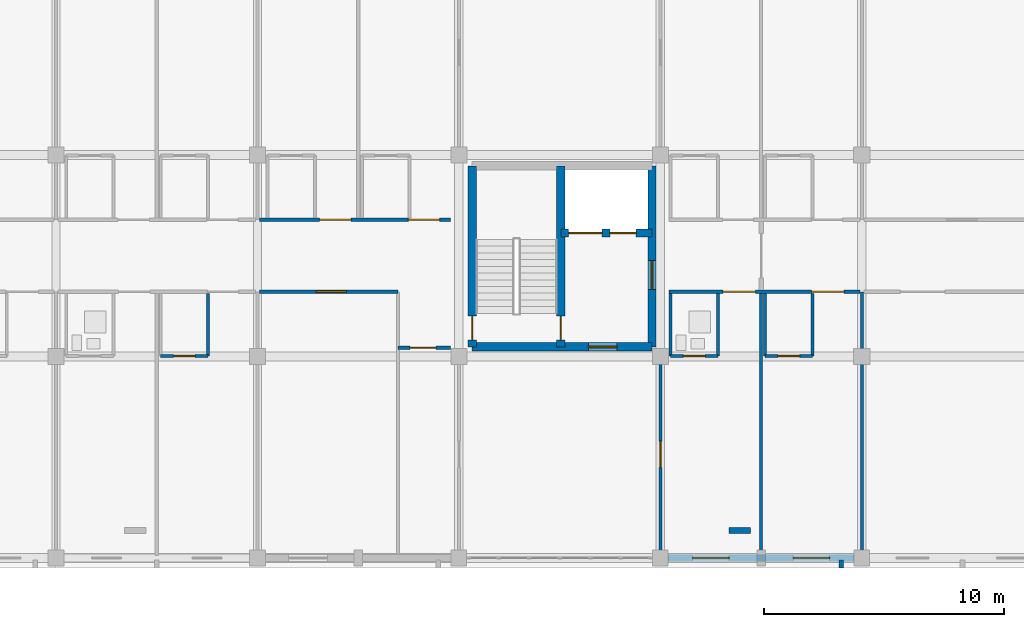
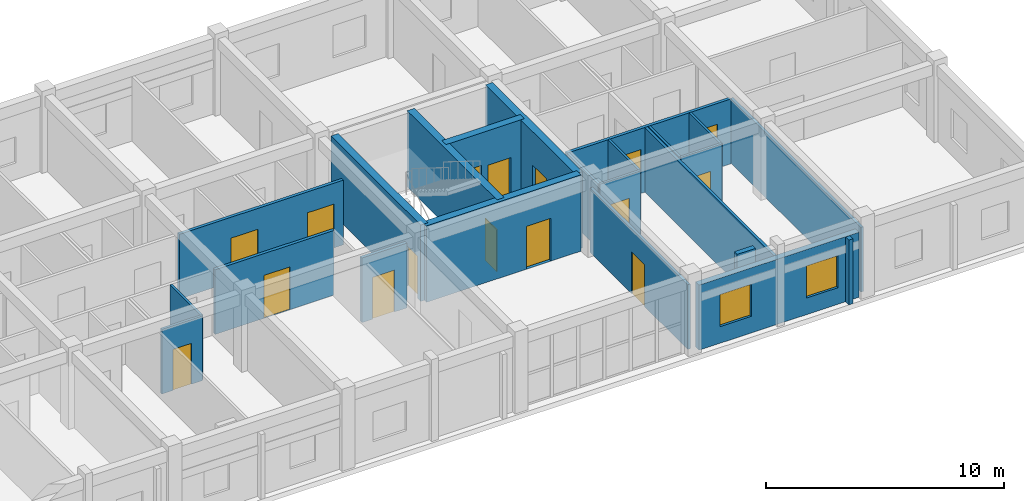
# One storey, part 65 of 90: 23 walls, 16 doors, 2 windows, 18 openings.
"""IFC4 building model written with IfcOpenShell, lengths in metres."""

from ifc_helpers import new_model, si_unit, direction, frame, frame_2d, origin, place, context, subcontext, project, spatial, rectangle, extrude, material, layer, layer_set, type_object, element, fill, save


model = new_model("IFC4")

# Units and contexts
model_context = context("Model", 3, precision=1e-05, world=origin(), true_north=direction((0.0, 1.0)))
body_context = subcontext(model_context, "Body", "Model", "MODEL_VIEW")
ifc_project = project(units=[si_unit("LENGTHUNIT", "METRE"), si_unit("AREAUNIT", "SQUARE_METRE"), si_unit("VOLUMEUNIT", "CUBIC_METRE"), si_unit("PLANEANGLEUNIT", "RADIAN"), si_unit("MASSUNIT", "GRAM", prefix="KILO")], contexts=[model_context])

# Site, building, storey
site_placement = place(None, origin())
site = spatial("IfcSite", under=ifc_project, at=site_placement, CompositionType="ELEMENT")
building_placement = place(site_placement, origin())
building = spatial("IfcBuilding", under=site, at=building_placement, Name="Trelvath General Hospital", CompositionType="ELEMENT")
storey_placement = place(building_placement, frame((0.0, 0.0, 20.39990234375)))
storey = spatial("IfcBuildingStorey", under=building, at=storey_placement, Name="L05", CompositionType="ELEMENT", Elevation=20.39990234375)

# Wall
ifc_material_1 = material(Name="Precast concrete C40/50", Category="concrete")
ifc_layer_1 = layer(ifc_material_1, 0.199951171875)
ifc_layer_set_1 = layer_set([ifc_layer_1], Name="Precast concrete C40/50")
wall_type_1 = type_object("IfcWallType", Name="BriseSoleilRib 200", PredefinedType="ELEMENTEDWALL", material=ifc_layer_set_1)
wall_1_placement = place(storey_placement, frame((108.3369140625, -0.074951171875, 0.0), z_axis=(0.0, 0.0, 1.0), x_axis=(0.0, -1.0, 0.0)))
element("IfcWall", 1, at=wall_1_placement, inside=storey, type_object=wall_type_1, Name="Precast Concrete Brise-Soleil Rib Fin L05-392", PredefinedType="ELEMENTEDWALL", context=body_context, shape_type="SweptSolid", body=[
    extrude(rectangle(XDim=0.340087890625, YDim=0.199951171875, at=frame_2d((0.169921875, 0.0))), origin(), (0.0, 0.0, 1.0), 3.320068359375),
])

# Wall, opening, door
ifc_material_2 = material(Name="Gypsum acoustic steel-stud partition", Category="steel")
ifc_layer_2 = layer(ifc_material_2, 0.14990234375)
ifc_layer_set_2 = layer_set([ifc_layer_2], Name="Gypsum acoustic steel-stud partition")
wall_type_2 = type_object("IfcWallType", Name="ClinicalPartition 150", PredefinedType="PARTITIONING", material=ifc_layer_set_2)
wall_2_placement = place(storey_placement, frame((84.080078125, 11.10009765625, 0.0), z_axis=(0.0, 0.0, 1.0), x_axis=(1.0, 0.0, 0.0)))
wall_2 = element("IfcWall", 2, at=wall_2_placement, inside=storey, type_object=wall_type_2, Name="Nurse Station Partition L05-1827", PredefinedType="PARTITIONING", context=body_context, shape_type="SweptSolid", body=[
    extrude(rectangle(XDim=5.780029296875, YDim=0.14990234375, at=frame_2d((2.89013671875, 0.0))), origin(), (0.0, 0.0, 1.0), 3.320068359375),
])
opening_1_placement = place(wall_2_placement, frame((2.3798828125, 0.0, 0.0)))
opening_1 = element("IfcOpeningElement", 3, at=opening_1_placement, cuts=wall_2, Name="Opening D-5-1202", PredefinedType="OPENING", context=body_context, shape_type="SweptSolid", body=[
    extrude(rectangle(XDim=1.25, YDim=2.199951171875, at=frame_2d((0.625, 1.10009765625))), frame((0.0, 0.0849609375, 0.0), z_axis=(0.0, -1.0, 0.0), x_axis=(1.0, 0.0, 0.0)), (0.0, 0.0, 1.0), 0.169921875),
])
ifc_material_3 = material(Name="Acoustic hospital timber leaf", Category="wood")
door_type_1 = type_object("IfcDoorType", Name="Door Treatment 1250x2200", OperationType="NOTDEFINED", PredefinedType="DOOR", material=ifc_material_3)
door_1_placement = place(opening_1_placement, origin())
door_1 = element("IfcDoor", 4, at=door_1_placement, inside=storey, type_object=door_type_1, Name="Nurse Station Door L05-1202", OperationType="SINGLE_SWING_RIGHT", OverallHeight=2.199951171875, OverallWidth=1.25, PredefinedType="DOOR", context=body_context, shape_type="SweptSolid", body=[
    extrude(rectangle(XDim=1.25, YDim=2.199951171875, at=frame_2d((0.625, 1.10009765625))), frame((0.0, 0.02490234375, 0.0), z_axis=(0.0, -1.0, 0.0), x_axis=(1.0, 0.0, 0.0)), (0.0, 0.0, 1.0), 0.050048828125),
])
fill(opening_1, door_1)

wall_3_placement = place(storey_placement, frame((89.860107421875, 8.760009765625, 0.0), z_axis=(0.0, 0.0, 1.0), x_axis=(1.0, 0.0, 0.0)))
wall_3 = element("IfcWall", 5, at=wall_3_placement, inside=storey, type_object=wall_type_2, Name="Clean Utility Partition L05-1829", PredefinedType="PARTITIONING", context=body_context, shape_type="SweptSolid", body=[
    extrude(rectangle(XDim=2.179931640625, YDim=0.14990234375, at=frame_2d((1.08984375, 0.0))), origin(), (0.0, 0.0, 1.0), 3.320068359375),
])
opening_2_placement = place(wall_3_placement, frame((0.5, 0.0, 0.0)))
opening_2 = element("IfcOpeningElement", 6, at=opening_2_placement, cuts=wall_3, Name="Opening D-5-1203", PredefinedType="OPENING", context=body_context, shape_type="SweptSolid", body=[
    extrude(rectangle(XDim=1.080078125, YDim=2.14990234375, at=frame_2d((0.5400390625, 1.074951171875))), frame((0.0, 0.0849609375, 0.0), z_axis=(0.0, -1.0, 0.0), x_axis=(1.0, 0.0, 0.0)), (0.0, 0.0, 1.0), 0.169921875),
])
ifc_material_4 = material(Name="Acoustic hospital timber leaf", Category="wood")
door_type_2 = type_object("IfcDoorType", Name="Door CleanSupply 1080x2150", OperationType="NOTDEFINED", PredefinedType="DOOR", material=ifc_material_4)
door_2_placement = place(opening_2_placement, origin())
door_2 = element("IfcDoor", 7, at=door_2_placement, inside=storey, type_object=door_type_2, Name="Clean Utility Door L05-1203", OperationType="SINGLE_SWING_LEFT", OverallHeight=2.14990234375, OverallWidth=1.080078125, PredefinedType="DOOR", context=body_context, shape_type="SweptSolid", body=[
    extrude(rectangle(XDim=1.080078125, YDim=2.14990234375, at=frame_2d((0.5400390625, 1.074951171875))), frame((0.0, 0.02490234375, 0.0), z_axis=(0.0, -1.0, 0.0), x_axis=(1.0, 0.0, 0.0)), (0.0, 0.0, 1.0), 0.050048828125),
])
fill(opening_2, door_2)

# Wall, openings, doors
wall_4_placement = place(storey_placement, frame((92.0400390625, 14.10009765625, 0.0), z_axis=(0.0, 0.0, 1.0), x_axis=(-1.0, 0.0, 0.0)))
wall_4 = element("IfcWall", 8, at=wall_4_placement, inside=storey, type_object=wall_type_2, Name="Corridor Partition N L05-1830", PredefinedType="PARTITIONING", context=body_context, shape_type="SweptSolid", body=[
    extrude(rectangle(XDim=7.9599609375, YDim=0.14990234375, at=frame_2d((3.97998046875, 0.0))), origin(), (0.0, 0.0, 1.0), 3.320068359375),
])
opening_3_placement = place(wall_4_placement, frame((0.449951171875, 0.0, 0.0)))
opening_3 = element("IfcOpeningElement", 9, at=opening_3_placement, cuts=wall_4, Name="Opening D-5-1204", PredefinedType="OPENING", context=body_context, shape_type="SweptSolid", body=[
    extrude(rectangle(XDim=1.300048828125, YDim=2.25, at=frame_2d((0.64990234375, 1.125))), frame((0.0, 0.0849609375, 0.0), z_axis=(0.0, -1.0, 0.0), x_axis=(1.0, 0.0, 0.0)), (0.0, 0.0, 1.0), 0.169921875),
])
opening_4_placement = place(wall_4_placement, frame((4.14990234375, 0.0, 0.0)))
opening_4 = element("IfcOpeningElement", 10, at=opening_4_placement, cuts=wall_4, Name="Opening D-5-1205", PredefinedType="OPENING", context=body_context, shape_type="SweptSolid", body=[
    extrude(rectangle(XDim=1.300048828125, YDim=2.25, at=frame_2d((0.64990234375, 1.125))), frame((0.0, 0.0849609375, 0.0), z_axis=(0.0, -1.0, 0.0), x_axis=(1.0, 0.0, 0.0)), (0.0, 0.0, 1.0), 0.169921875),
])
ifc_material_5 = material(Name="Hospital bed-leaf timber door", Category="wood")
door_type_3 = type_object("IfcDoorType", Name="Door PatientBed 1300x2250", OperationType="NOTDEFINED", PredefinedType="DOOR", material=ifc_material_5)
door_3_placement = place(opening_3_placement, origin())
door_3 = element("IfcDoor", 11, at=door_3_placement, inside=storey, type_object=door_type_3, Name="Patient Room Door N L05-1204", OperationType="SINGLE_SWING_RIGHT", OverallHeight=2.25, OverallWidth=1.300048828125, PredefinedType="DOOR", context=body_context, shape_type="SweptSolid", body=[
    extrude(rectangle(XDim=1.300048828125, YDim=2.25, at=frame_2d((0.64990234375, 1.125))), frame((0.0, 0.02490234375, 0.0), z_axis=(0.0, -1.0, 0.0), x_axis=(1.0, 0.0, 0.0)), (0.0, 0.0, 1.0), 0.050048828125),
])
fill(opening_3, door_3)
door_4_placement = place(opening_4_placement, origin())
door_4 = element("IfcDoor", 12, at=door_4_placement, inside=storey, type_object=door_type_3, Name="Patient Room Door N L05-1205", OperationType="SINGLE_SWING_RIGHT", OverallHeight=2.25, OverallWidth=1.300048828125, PredefinedType="DOOR", context=body_context, shape_type="SweptSolid", body=[
    extrude(rectangle(XDim=1.300048828125, YDim=2.25, at=frame_2d((0.64990234375, 1.125))), frame((0.0, 0.02490234375, 0.0), z_axis=(0.0, -1.0, 0.0), x_axis=(1.0, 0.0, 0.0)), (0.0, 0.0, 1.0), 0.050048828125),
])
fill(opening_4, door_4)

wall_5_placement = place(storey_placement, frame((101.159912109375, 11.10009765625, 0.0), z_axis=(0.0, 0.0, 1.0), x_axis=(1.0, 0.0, 0.0)))
wall_5 = element("IfcWall", 13, at=wall_5_placement, inside=storey, type_object=wall_type_2, Name="Corridor Partition L05-1842", PredefinedType="PARTITIONING", context=body_context, shape_type="SweptSolid", body=[
    extrude(rectangle(XDim=7.960205078125, YDim=0.14990234375, at=frame_2d((3.97998046875, 0.0))), origin(), (0.0, 0.0, 1.0), 3.320068359375),
])
opening_5_placement = place(wall_5_placement, frame((2.25, 0.0, 0.0)))
opening_5 = element("IfcOpeningElement", 14, at=opening_5_placement, cuts=wall_5, Name="Opening D-5-1212", PredefinedType="OPENING", context=body_context, shape_type="SweptSolid", body=[
    extrude(rectangle(XDim=1.35009765625, YDim=2.25, at=frame_2d((0.675048828125, 1.125))), frame((0.0, 0.0849609375, 0.0), z_axis=(0.0, -1.0, 0.0), x_axis=(1.0, 0.0, 0.0)), (0.0, 0.0, 1.0), 0.169921875),
])
opening_6_placement = place(wall_5_placement, frame((5.949951171875, 0.0, 0.0)))
opening_6 = element("IfcOpeningElement", 15, at=opening_6_placement, cuts=wall_5, Name="Opening D-5-1213", PredefinedType="OPENING", context=body_context, shape_type="SweptSolid", body=[
    extrude(rectangle(XDim=1.35009765625, YDim=2.25, at=frame_2d((0.675048828125, 1.125))), frame((0.0, 0.0849609375, 0.0), z_axis=(0.0, -1.0, 0.0), x_axis=(1.0, 0.0, 0.0)), (0.0, 0.0, 1.0), 0.169921875),
])
ifc_material_6 = material(Name="Airtight isolation bed door")
door_type_4 = type_object("IfcDoorType", Name="Door PatientIso 1350x2250", OperationType="NOTDEFINED", PredefinedType="DOOR", material=ifc_material_6)
door_5_placement = place(opening_5_placement, origin())
door_5 = element("IfcDoor", 16, at=door_5_placement, inside=storey, type_object=door_type_4, Name="Patient Room Door L05-1212", OperationType="SINGLE_SWING_LEFT", OverallHeight=2.25, OverallWidth=1.35009765625, PredefinedType="DOOR", context=body_context, shape_type="SweptSolid", body=[
    extrude(rectangle(XDim=1.35009765625, YDim=2.25, at=frame_2d((0.675048828125, 1.125))), frame((0.0, 0.02490234375, 0.0), z_axis=(0.0, -1.0, 0.0), x_axis=(1.0, 0.0, 0.0)), (0.0, 0.0, 1.0), 0.050048828125),
])
fill(opening_5, door_5)
door_6_placement = place(opening_6_placement, origin())
door_6 = element("IfcDoor", 17, at=door_6_placement, inside=storey, type_object=door_type_4, Name="Patient Room Door L05-1213", OperationType="SINGLE_SWING_RIGHT", OverallHeight=2.25, OverallWidth=1.35009765625, PredefinedType="DOOR", context=body_context, shape_type="SweptSolid", body=[
    extrude(rectangle(XDim=1.35009765625, YDim=2.25, at=frame_2d((0.675048828125, 1.125))), frame((0.0, 0.02490234375, 0.0), z_axis=(0.0, -1.0, 0.0), x_axis=(1.0, 0.0, 0.0)), (0.0, 0.0, 1.0), 0.050048828125),
])
fill(opening_6, door_6)

# Wall, opening, door
ifc_material_7 = material(Name="Concrete C40/50", Category="concrete")
ifc_layer_3 = layer(ifc_material_7, 0.35009765625)
ifc_layer_set_3 = layer_set([ifc_layer_3], Name="Concrete C40/50")
wall_type_3 = type_object("IfcWallType", Name="CoreShearWall 350", PredefinedType="SHEAR", material=ifc_layer_set_3)
wall_6_placement = place(storey_placement, frame((92.949951171875, 8.800048828125, 0.0), z_axis=(0.0, 0.0, 1.0), x_axis=(1.0, 0.0, 0.0)))
wall_6 = element("IfcWall", 18, at=wall_6_placement, inside=storey, type_object=wall_type_3, Name="Core Shear Wall C5 S L05", PredefinedType="SHEAR", context=body_context, shape_type="SweptSolid", body=[
    extrude(rectangle(XDim=7.5, YDim=0.35009765625, at=frame_2d((3.75, 0.0))), origin(), (0.0, 0.0, 1.0), 3.920166015625),
])
opening_7_placement = place(wall_6_placement, frame((4.85009765625, 0.0, 0.0)))
opening_7 = element("IfcOpeningElement", 19, at=opening_7_placement, cuts=wall_6, Name="Opening FD-LS55", PredefinedType="OPENING", context=body_context, shape_type="SweptSolid", body=[
    extrude(rectangle(XDim=1.199951171875, YDim=2.199951171875, at=frame_2d((0.60009765625, 1.10009765625))), frame((0.0, 0.18505859375, 0.0), z_axis=(0.0, -1.0, 0.0), x_axis=(1.0, 0.0, 0.0)), (0.0, 0.0, 1.0), 0.3701171875),
])
ifc_material_8 = material(Name="Fire-rated steel door", Category="steel")
door_type_5 = type_object("IfcDoorType", Name="Door FireLobby 1200x2200", OperationType="NOTDEFINED", PredefinedType="DOOR", material=ifc_material_8)
door_7_placement = place(opening_7_placement, origin())
door_7 = element("IfcDoor", 20, at=door_7_placement, inside=storey, type_object=door_type_5, Name="Fire Lobby South Door C5 L05", OperationType="SINGLE_SWING_LEFT", OverallHeight=2.199951171875, OverallWidth=1.199951171875, PredefinedType="DOOR", context=body_context, shape_type="SweptSolid", body=[
    extrude(rectangle(XDim=1.199951171875, YDim=2.199951171875, at=frame_2d((0.60009765625, 1.10009765625))), frame((0.0, 0.02490234375, 0.0), z_axis=(0.0, -1.0, 0.0), x_axis=(1.0, 0.0, 0.0)), (0.0, 0.0, 1.0), 0.050048828125),
])
fill(opening_7, door_7)

wall_7_placement = place(storey_placement, frame((92.949951171875, 8.800048828125, 0.0), z_axis=(0.0, 0.0, 1.0), x_axis=(0.0, 1.0, 0.0)))
wall_7 = element("IfcWall", 21, at=wall_7_placement, inside=storey, type_object=wall_type_3, Name="Core Shear Wall C5 W L05", PredefinedType="SHEAR", context=body_context, shape_type="SweptSolid", body=[
    extrude(rectangle(XDim=7.550048828125, YDim=0.35009765625, at=frame_2d((3.77490234375, 0.0))), origin(), (0.0, 0.0, 1.0), 3.920166015625),
])
opening_8_placement = place(wall_7_placement, frame((0.280029296875, 0.0, 0.0)))
opening_8 = element("IfcOpeningElement", 22, at=opening_8_placement, cuts=wall_7, Name="Opening FD-SW55", PredefinedType="OPENING", context=body_context, shape_type="SweptSolid", body=[
    extrude(rectangle(XDim=1.0, YDim=2.14990234375, at=frame_2d((0.5, 1.074951171875))), frame((0.0, 0.18505859375, 0.0), z_axis=(0.0, -1.0, 0.0), x_axis=(1.0, 0.0, 0.0)), (0.0, 0.0, 1.0), 0.3701171875),
])
ifc_material_9 = material(Name="Fire-rated steel door", Category="steel")
door_type_6 = type_object("IfcDoorType", Name="Door FireStair 1100x2150", OperationType="NOTDEFINED", PredefinedType="DOOR", material=ifc_material_9)
door_8_placement = place(opening_8_placement, origin())
door_8 = element("IfcDoor", 23, at=door_8_placement, inside=storey, type_object=door_type_6, Name="West Corridor Stair Door ST5 L05", OperationType="SINGLE_SWING_RIGHT", OverallHeight=2.14990234375, OverallWidth=1.0, PredefinedType="DOOR", context=body_context, shape_type="SweptSolid", body=[
    extrude(rectangle(XDim=1.0, YDim=2.14990234375, at=frame_2d((0.5, 1.074951171875))), frame((0.0, 0.02490234375, 0.0), z_axis=(0.0, -1.0, 0.0), x_axis=(1.0, 0.0, 0.0)), (0.0, 0.0, 1.0), 0.050048828125),
])
fill(opening_8, door_8)

wall_8_placement = place(storey_placement, frame((100.449951171875, 8.800048828125, 0.0), z_axis=(0.0, 0.0, 1.0), x_axis=(0.0, 1.0, 0.0)))
wall_8 = element("IfcWall", 24, at=wall_8_placement, inside=storey, type_object=wall_type_3, Name="Core Shear Wall C5 E L05", PredefinedType="SHEAR", context=body_context, shape_type="SweptSolid", body=[
    extrude(rectangle(XDim=7.550048828125, YDim=0.35009765625, at=frame_2d((3.77490234375, 0.0))), origin(), (0.0, 0.0, 1.0), 3.920166015625),
])
opening_9_placement = place(wall_8_placement, frame((2.39990234375, 0.0, 0.0)))
opening_9 = element("IfcOpeningElement", 25, at=opening_9_placement, cuts=wall_8, Name="Opening FD-LE55", PredefinedType="OPENING", context=body_context, shape_type="SweptSolid", body=[
    extrude(rectangle(XDim=1.199951171875, YDim=2.199951171875, at=frame_2d((0.60009765625, 1.10009765625))), frame((0.0, 0.18505859375, 0.0), z_axis=(0.0, -1.0, 0.0), x_axis=(1.0, 0.0, 0.0)), (0.0, 0.0, 1.0), 0.3701171875),
])
door_9_placement = place(opening_9_placement, origin())
door_9 = element("IfcDoor", 26, at=door_9_placement, inside=storey, type_object=door_type_5, Name="Fire Lobby East Corridor Door C5 L05", OperationType="SINGLE_SWING_RIGHT", OverallHeight=2.199951171875, OverallWidth=1.199951171875, PredefinedType="DOOR", context=body_context, shape_type="SweptSolid", body=[
    extrude(rectangle(XDim=1.199951171875, YDim=2.199951171875, at=frame_2d((0.60009765625, 1.10009765625))), frame((0.0, 0.02490234375, 0.0), z_axis=(0.0, -1.0, 0.0), x_axis=(1.0, 0.0, 0.0)), (0.0, 0.0, 1.0), 0.050048828125),
])
fill(opening_9, door_9)

wall_9_placement = place(storey_placement, frame((96.64990234375, 8.800048828125, 0.0), z_axis=(0.0, 0.0, 1.0), x_axis=(0.0, 1.0, 0.0)))
wall_9 = element("IfcWall", 27, at=wall_9_placement, inside=storey, type_object=wall_type_3, Name="Core Shear Wall C5 SPINE L05", PredefinedType="SHEAR", context=body_context, shape_type="SweptSolid", body=[
    extrude(rectangle(XDim=7.550048828125, YDim=0.35009765625, at=frame_2d((3.77490234375, 0.0))), origin(), (0.0, 0.0, 1.0), 3.920166015625),
])
opening_10_placement = place(wall_9_placement, frame((0.280029296875, 0.0, 0.0)))
opening_10 = element("IfcOpeningElement", 28, at=opening_10_placement, cuts=wall_9, Name="Opening FD-S55", PredefinedType="OPENING", context=body_context, shape_type="SweptSolid", body=[
    extrude(rectangle(XDim=1.0, YDim=2.14990234375, at=frame_2d((0.5, 1.074951171875))), frame((0.0, 0.18505859375, 0.0), z_axis=(0.0, -1.0, 0.0), x_axis=(1.0, 0.0, 0.0)), (0.0, 0.0, 1.0), 0.3701171875),
])
door_10_placement = place(opening_10_placement, origin())
door_10 = element("IfcDoor", 29, at=door_10_placement, inside=storey, type_object=door_type_6, Name="Exit Stair Door ST5 L05", OperationType="SINGLE_SWING_LEFT", OverallHeight=2.14990234375, OverallWidth=1.0, PredefinedType="DOOR", context=body_context, shape_type="SweptSolid", body=[
    extrude(rectangle(XDim=1.0, YDim=2.14990234375, at=frame_2d((0.5, 1.074951171875))), frame((0.0, 0.02490234375, 0.0), z_axis=(0.0, -1.0, 0.0), x_axis=(1.0, 0.0, 0.0)), (0.0, 0.0, 1.0), 0.050048828125),
])
fill(opening_10, door_10)

# Wall, openings, doors
wall_10_placement = place(storey_placement, frame((96.64990234375, 13.550048828125, 0.0), z_axis=(0.0, 0.0, 1.0), x_axis=(1.0, 0.0, 0.0)))
wall_10 = element("IfcWall", 30, at=wall_10_placement, inside=storey, type_object=wall_type_3, Name="Core Shear Wall C5 SHAFT L05", PredefinedType="SHEAR", context=body_context, shape_type="SweptSolid", body=[
    extrude(rectangle(XDim=3.800048828125, YDim=0.35009765625, at=frame_2d((1.89990234375, 0.0))), origin(), (0.0, 0.0, 1.0), 3.920166015625),
])
opening_11_placement = place(wall_10_placement, frame((0.320068359375, 0.0, 0.0)))
opening_11 = element("IfcOpeningElement", 31, at=opening_11_placement, cuts=wall_10, Name="Opening LD-BD4-5", PredefinedType="OPENING", context=body_context, shape_type="SweptSolid", body=[
    extrude(rectangle(XDim=1.39990234375, YDim=2.25, at=frame_2d((0.699951171875, 1.125))), frame((0.0, 0.18505859375, 0.0), z_axis=(0.0, -1.0, 0.0), x_axis=(1.0, 0.0, 0.0)), (0.0, 0.0, 1.0), 0.3701171875),
])
opening_12_placement = place(wall_10_placement, frame((2.0400390625, 0.0, 0.0)))
opening_12 = element("IfcOpeningElement", 32, at=opening_12_placement, cuts=wall_10, Name="Opening LD-PA2-5", PredefinedType="OPENING", context=body_context, shape_type="SweptSolid", body=[
    extrude(rectangle(XDim=1.10009765625, YDim=2.14990234375, at=frame_2d((0.550048828125, 1.074951171875))), frame((0.0, 0.18505859375, 0.0), z_axis=(0.0, -1.0, 0.0), x_axis=(1.0, 0.0, 0.0)), (0.0, 0.0, 1.0), 0.3701171875),
])
ifc_material_10 = material(Name="Stainless steel stretcher lift landing door", Category="steel")
door_type_7 = type_object("IfcDoorType", Name="Door LiftBed 1400x2250", OperationType="SLIDING_TO_LEFT", PredefinedType="DOOR", material=ifc_material_10)
door_11_placement = place(opening_11_placement, origin())
door_11 = element("IfcDoor", 33, at=door_11_placement, inside=storey, type_object=door_type_7, Name="Lift Landing Sliding Door LF-BD4 L05", OperationType="SLIDING_TO_LEFT", OverallHeight=2.25, OverallWidth=1.39990234375, PredefinedType="DOOR", context=body_context, shape_type="SweptSolid", body=[
    extrude(rectangle(XDim=1.39990234375, YDim=2.25, at=frame_2d((0.699951171875, 1.125))), frame((0.0, 0.02490234375, 0.0), z_axis=(0.0, -1.0, 0.0), x_axis=(1.0, 0.0, 0.0)), (0.0, 0.0, 1.0), 0.050048828125),
])
fill(opening_11, door_11)
ifc_material_11 = material(Name="Stainless steel lift landing sliding door", Category="steel")
door_type_8 = type_object("IfcDoorType", Name="Door LiftLanding 1100x2150", OperationType="SLIDING_TO_LEFT", PredefinedType="DOOR", material=ifc_material_11)
door_12_placement = place(opening_12_placement, origin())
door_12 = element("IfcDoor", 34, at=door_12_placement, inside=storey, type_object=door_type_8, Name="Lift Landing Sliding Door LF-PA2 L05", OperationType="SLIDING_TO_LEFT", OverallHeight=2.14990234375, OverallWidth=1.10009765625, PredefinedType="DOOR", context=body_context, shape_type="SweptSolid", body=[
    extrude(rectangle(XDim=1.10009765625, YDim=2.14990234375, at=frame_2d((0.550048828125, 1.074951171875))), frame((0.0, 0.02490234375, 0.0), z_axis=(0.0, -1.0, 0.0), x_axis=(1.0, 0.0, 0.0)), (0.0, 0.0, 1.0), 0.050048828125),
])
fill(opening_12, door_12)

# Wall
ifc_material_12 = material(Name="Moisture-resistant tile partition")
ifc_layer_4 = layer(ifc_material_12, 0.110107421875)
ifc_layer_set_4 = layer_set([ifc_layer_4], Name="Moisture-resistant tile partition")
wall_type_4 = type_object("IfcWallType", Name="EnSuiteWetWall 110", PredefinedType="PARTITIONING", material=ifc_layer_set_4)
wall_11_placement = place(storey_placement, frame((81.93994140625, 8.419921875, 0.0), z_axis=(0.0, 0.0, 1.0), x_axis=(0.0, 1.0, 0.0)))
element("IfcWall", 35, at=wall_11_placement, inside=storey, type_object=wall_type_4, Name="En-Suite E Wall L05-1814", PredefinedType="PARTITIONING", context=body_context, shape_type="SweptSolid", body=[
    extrude(rectangle(XDim=2.610107421875, YDim=0.110107421875, at=frame_2d((1.30517578125, 0.0))), origin(), (0.0, 0.0, 1.0), 3.320068359375),
])

# Wall, opening, door
wall_12_placement = place(storey_placement, frame((79.9599609375, 8.419921875, 0.0), z_axis=(0.0, 0.0, 1.0), x_axis=(1.0, 0.0, 0.0)))
wall_12 = element("IfcWall", 36, at=wall_12_placement, inside=storey, type_object=wall_type_4, Name="En-Suite Bathroom Partition L05-1815", PredefinedType="PARTITIONING", context=body_context, shape_type="SweptSolid", body=[
    extrude(rectangle(XDim=1.97998046875, YDim=0.110107421875, at=frame_2d((0.989990234375, 0.0))), origin(), (0.0, 0.0, 1.0), 3.320068359375),
])
opening_13_placement = place(wall_12_placement, frame((0.5400390625, 0.0, 0.0)))
opening_13 = element("IfcOpeningElement", 37, at=opening_13_placement, cuts=wall_12, Name="Opening D-5-1197", PredefinedType="OPENING", context=body_context, shape_type="SweptSolid", body=[
    extrude(rectangle(XDim=0.89990234375, YDim=2.10009765625, at=frame_2d((0.449951171875, 1.050048828125))), frame((0.0, 0.06494140625, 0.0), z_axis=(0.0, -1.0, 0.0), x_axis=(1.0, 0.0, 0.0)), (0.0, 0.0, 1.0), 0.130126953125),
])
ifc_material_13 = material(Name="Moisture-sealed timber leaf", Category="wood")
door_type_9 = type_object("IfcDoorType", Name="Door EnSuite 900x2100", OperationType="NOTDEFINED", PredefinedType="DOOR", material=ifc_material_13)
door_13_placement = place(opening_13_placement, origin())
door_13 = element("IfcDoor", 38, at=door_13_placement, inside=storey, type_object=door_type_9, Name="En-Suite Bathroom Door L05-1197", OperationType="SINGLE_SWING_RIGHT", OverallHeight=2.10009765625, OverallWidth=0.89990234375, PredefinedType="DOOR", context=body_context, shape_type="SweptSolid", body=[
    extrude(rectangle(XDim=0.89990234375, YDim=2.10009765625, at=frame_2d((0.449951171875, 1.050048828125))), frame((0.0, 0.02490234375, 0.0), z_axis=(0.0, -1.0, 0.0), x_axis=(1.0, 0.0, 0.0)), (0.0, 0.0, 1.0), 0.050048828125),
])
fill(opening_13, door_13)

# Walls
for number, where, z_axis, x_axis, name in (
    (39, (101.219970703125, 8.419921875, 0.0), (0.0, 0.0, 1.0), (0.0, 1.0, 0.0), "En-Suite W Wall L05-1844"),
    (40, (103.199951171875, 8.419921875, 0.0), (0.0, 0.0, 1.0), (0.0, 1.0, 0.0), "En-Suite E Wall L05-1845"),
):
    element("IfcWall", number, at=place(storey_placement, frame(where, z_axis=z_axis, x_axis=x_axis)), inside=storey, type_object=wall_type_4, Name=name, PredefinedType="PARTITIONING", context=body_context, shape_type="SweptSolid", body=[
        extrude(rectangle(XDim=2.610107421875, YDim=0.110107421875, at=frame_2d((1.30517578125, 0.0))), origin(), (0.0, 0.0, 1.0), 3.320068359375),
    ])

# Wall, opening, door
wall_13_placement = place(storey_placement, frame((101.219970703125, 8.419921875, 0.0), z_axis=(0.0, 0.0, 1.0), x_axis=(1.0, 0.0, 0.0)))
wall_13 = element("IfcWall", 41, at=wall_13_placement, inside=storey, type_object=wall_type_4, Name="En-Suite Bathroom Partition L05-1846", PredefinedType="PARTITIONING", context=body_context, shape_type="SweptSolid", body=[
    extrude(rectangle(XDim=1.97998046875, YDim=0.110107421875, at=frame_2d((0.989990234375, 0.0))), origin(), (0.0, 0.0, 1.0), 3.320068359375),
])
opening_14_placement = place(wall_13_placement, frame((0.5400390625, 0.0, 0.0)))
opening_14 = element("IfcOpeningElement", 42, at=opening_14_placement, cuts=wall_13, Name="Opening D-5-1214", PredefinedType="OPENING", context=body_context, shape_type="SweptSolid", body=[
    extrude(rectangle(XDim=0.89990234375, YDim=2.10009765625, at=frame_2d((0.449951171875, 1.050048828125))), frame((0.0, 0.06494140625, 0.0), z_axis=(0.0, -1.0, 0.0), x_axis=(1.0, 0.0, 0.0)), (0.0, 0.0, 1.0), 0.130126953125),
])
door_14_placement = place(opening_14_placement, origin())
door_14 = element("IfcDoor", 43, at=door_14_placement, inside=storey, type_object=door_type_9, Name="En-Suite Bathroom Door L05-1214", OperationType="SINGLE_SWING_LEFT", OverallHeight=2.10009765625, OverallWidth=0.89990234375, PredefinedType="DOOR", context=body_context, shape_type="SweptSolid", body=[
    extrude(rectangle(XDim=0.89990234375, YDim=2.10009765625, at=frame_2d((0.449951171875, 1.050048828125))), frame((0.0, 0.02490234375, 0.0), z_axis=(0.0, -1.0, 0.0), x_axis=(1.0, 0.0, 0.0)), (0.0, 0.0, 1.0), 0.050048828125),
])
fill(opening_14, door_14)

# Walls
for number, where, z_axis, x_axis, name in (
    (44, (105.159912109375, 8.419921875, 0.0), (0.0, 0.0, 1.0), (0.0, 1.0, 0.0), "En-Suite W Wall L05-1847"),
    (45, (107.139892578125, 8.419921875, 0.0), (0.0, 0.0, 1.0), (0.0, 1.0, 0.0), "En-Suite E Wall L05-1848"),
):
    element("IfcWall", number, at=place(storey_placement, frame(where, z_axis=z_axis, x_axis=x_axis)), inside=storey, type_object=wall_type_4, Name=name, PredefinedType="PARTITIONING", context=body_context, shape_type="SweptSolid", body=[
        extrude(rectangle(XDim=2.610107421875, YDim=0.110107421875, at=frame_2d((1.30517578125, 0.0))), origin(), (0.0, 0.0, 1.0), 3.320068359375),
    ])

# Wall, opening, door
wall_14_placement = place(storey_placement, frame((105.159912109375, 8.419921875, 0.0), z_axis=(0.0, 0.0, 1.0), x_axis=(1.0, 0.0, 0.0)))
wall_14 = element("IfcWall", 46, at=wall_14_placement, inside=storey, type_object=wall_type_4, Name="En-Suite Bathroom Partition L05-1849", PredefinedType="PARTITIONING", context=body_context, shape_type="SweptSolid", body=[
    extrude(rectangle(XDim=1.97998046875, YDim=0.110107421875, at=frame_2d((0.989990234375, 0.0))), origin(), (0.0, 0.0, 1.0), 3.320068359375),
])
opening_15_placement = place(wall_14_placement, frame((0.5400390625, 0.0, 0.0)))
opening_15 = element("IfcOpeningElement", 47, at=opening_15_placement, cuts=wall_14, Name="Opening D-5-1215", PredefinedType="OPENING", context=body_context, shape_type="SweptSolid", body=[
    extrude(rectangle(XDim=0.89990234375, YDim=2.10009765625, at=frame_2d((0.449951171875, 1.050048828125))), frame((0.0, 0.06494140625, 0.0), z_axis=(0.0, -1.0, 0.0), x_axis=(1.0, 0.0, 0.0)), (0.0, 0.0, 1.0), 0.130126953125),
])
door_15_placement = place(opening_15_placement, origin())
door_15 = element("IfcDoor", 48, at=door_15_placement, inside=storey, type_object=door_type_9, Name="En-Suite Bathroom Door L05-1215", OperationType="SINGLE_SWING_RIGHT", OverallHeight=2.10009765625, OverallWidth=0.89990234375, PredefinedType="DOOR", context=body_context, shape_type="SweptSolid", body=[
    extrude(rectangle(XDim=0.89990234375, YDim=2.10009765625, at=frame_2d((0.449951171875, 1.050048828125))), frame((0.0, 0.02490234375, 0.0), z_axis=(0.0, -1.0, 0.0), x_axis=(1.0, 0.0, 0.0)), (0.0, 0.0, 1.0), 0.050048828125),
])
fill(opening_15, door_15)

# Wall, openings, windows
ifc_material_14 = material(Name="Concrete C35/45", Category="concrete")
ifc_layer_5 = layer(ifc_material_14, 0.2900390625)
ifc_layer_set_5 = layer_set([ifc_layer_5], Name="Concrete C35/45")
wall_type_5 = type_object("IfcWallType", Name="ExtBushHammeredWall 290", PredefinedType="SOLIDWALL", material=ifc_layer_set_5)
wall_15_placement = place(storey_placement, frame((108.8798828125, 0.0, 0.0), z_axis=(0.0, 0.0, 1.0), x_axis=(-1.0, 0.0, 0.0)))
wall_15 = element("IfcWall", 49, at=wall_15_placement, inside=storey, type_object=wall_type_5, Name="Exterior Concrete Wall L05-532", PredefinedType="SOLIDWALL", context=body_context, shape_type="SweptSolid", body=[
    extrude(rectangle(XDim=7.759765625, YDim=0.2900390625, at=frame_2d((3.8798828125, 0.0))), origin(), (0.0, 0.0, 1.0), 3.340087890625),
])
opening_16_placement = place(wall_15_placement, frame((1.02490234375, 0.0, 0.85009765625)))
opening_16 = element("IfcOpeningElement", 50, at=opening_16_placement, cuts=wall_15, Name="Opening WN-5-881", PredefinedType="OPENING", context=body_context, shape_type="SweptSolid", body=[
    extrude(rectangle(XDim=1.52001953125, YDim=1.64990234375, at=frame_2d((0.760009765625, 0.824951171875))), frame((0.0, 0.155029296875, 0.0), z_axis=(0.0, -1.0, 0.0), x_axis=(1.0, 0.0, 0.0)), (0.0, 0.0, 1.0), 0.31005859375),
])
opening_17_placement = place(wall_15_placement, frame((5.215087890625, 0.0, 0.85009765625)))
opening_17 = element("IfcOpeningElement", 51, at=opening_17_placement, cuts=wall_15, Name="Opening WN-5-882", PredefinedType="OPENING", context=body_context, shape_type="SweptSolid", body=[
    extrude(rectangle(XDim=1.52001953125, YDim=1.64990234375, at=frame_2d((0.760009765625, 0.824951171875))), frame((0.0, 0.155029296875, 0.0), z_axis=(0.0, -1.0, 0.0), x_axis=(1.0, 0.0, 0.0)), (0.0, 0.0, 1.0), 0.31005859375),
])
ifc_material_15 = material(Name="Low-E laminated glass", Category="glass")
window_type = type_object("IfcWindowType", Name="Window WardNorth 1520x1650", PartitioningType="DOUBLE_PANEL_VERTICAL", PredefinedType="WINDOW", material=ifc_material_15)
window_1_placement = place(opening_16_placement, origin())
window_1 = element("IfcWindow", 52, at=window_1_placement, inside=storey, type_object=window_type, Name="Solar Reveal Window L05-881", OverallHeight=1.64990234375, OverallWidth=1.52001953125, PartitioningType="SINGLE_PANEL", PredefinedType="WINDOW", context=body_context, shape_type="SweptSolid", body=[
    extrude(rectangle(XDim=1.52001953125, YDim=1.64990234375, at=frame_2d((0.760009765625, 0.824951171875))), frame((0.0, 0.030029296875, 0.0), z_axis=(0.0, -1.0, 0.0), x_axis=(1.0, 0.0, 0.0)), (0.0, 0.0, 1.0), 0.06005859375),
])
fill(opening_16, window_1)
window_2_placement = place(opening_17_placement, origin())
window_2 = element("IfcWindow", 53, at=window_2_placement, inside=storey, type_object=window_type, Name="Solar Reveal Window L05-882", OverallHeight=1.64990234375, OverallWidth=1.52001953125, PartitioningType="SINGLE_PANEL", PredefinedType="WINDOW", context=body_context, shape_type="SweptSolid", body=[
    extrude(rectangle(XDim=1.52001953125, YDim=1.64990234375, at=frame_2d((0.760009765625, 0.824951171875))), frame((0.0, 0.030029296875, 0.0), z_axis=(0.0, -1.0, 0.0), x_axis=(1.0, 0.0, 0.0)), (0.0, 0.0, 1.0), 0.06005859375),
])
fill(opening_17, window_2)

# Wall
ifc_material_16 = material(Name="Masonry service chase blockwork", Category="masonry")
ifc_layer_6 = layer(ifc_material_16, 0.239990234375)
ifc_layer_set_6 = layer_set([ifc_layer_6], Name="Masonry service chase blockwork")
wall_type_6 = type_object("IfcWallType", Name="PlumbingChaseWall 240", PredefinedType="PLUMBINGWALL", material=ifc_layer_set_6)
wall_16_placement = place(storey_placement, frame((103.64990234375, 1.14990234375, 0.0), z_axis=(0.0, 0.0, 1.0), x_axis=(1.0, 0.0, 0.0)))
element("IfcWall", 54, at=wall_16_placement, inside=storey, type_object=wall_type_6, Name="Medical Gas Plumbing Chase L05-1850", PredefinedType="PLUMBINGWALL", context=body_context, shape_type="SweptSolid", body=[
    extrude(rectangle(XDim=0.900146484375, YDim=0.239990234375, at=frame_2d((0.4501953125, 0.0))), origin(), (0.0, 0.0, 1.0), 3.320068359375),
])

# Wall, opening, door
ifc_material_17 = material(Name="Gypsum acoustic steel-stud partition", Category="steel")
ifc_layer_7 = layer(ifc_material_17, 0.1298828125)
ifc_layer_set_7 = layer_set([ifc_layer_7], Name="Gypsum acoustic steel-stud partition")
wall_type_7 = type_object("IfcWallType", Name="WardPartition 130", PredefinedType="PARTITIONING", material=ifc_layer_set_7)
wall_17_placement = place(storey_placement, frame((100.800048828125, 0.139892578125, 0.0), z_axis=(0.0, 0.0, 1.0), x_axis=(0.0, 1.0, 0.0)))
wall_17 = element("IfcWall", 55, at=wall_17_placement, inside=storey, type_object=wall_type_7, Name="Inter-Bay Ward Partition S L05-1840", PredefinedType="PARTITIONING", context=body_context, shape_type="SweptSolid", body=[
    extrude(rectangle(XDim=8.210205078125, YDim=0.1298828125, at=frame_2d((4.10498046875, 0.0))), origin(), (0.0, 0.0, 1.0), 3.320068359375),
])
opening_18_placement = place(wall_17_placement, frame((3.639892578125, 0.0, 0.0)))
opening_18 = element("IfcOpeningElement", 56, at=opening_18_placement, cuts=wall_17, Name="Opening D-5-1210", PredefinedType="OPENING", context=body_context, shape_type="SweptSolid", body=[
    extrude(rectangle(XDim=1.080078125, YDim=2.14990234375, at=frame_2d((0.5400390625, 1.074951171875))), frame((0.0, 0.074951171875, 0.0), z_axis=(0.0, -1.0, 0.0), x_axis=(1.0, 0.0, 0.0)), (0.0, 0.0, 1.0), 0.14990234375),
])
door_16_placement = place(opening_18_placement, origin())
door_16 = element("IfcDoor", 57, at=door_16_placement, inside=storey, type_object=door_type_2, Name="Clean Supply Connecting Door L05-1210", OperationType="SINGLE_SWING_LEFT", OverallHeight=2.14990234375, OverallWidth=1.080078125, PredefinedType="DOOR", context=body_context, shape_type="SweptSolid", body=[
    extrude(rectangle(XDim=1.080078125, YDim=2.14990234375, at=frame_2d((0.5400390625, 1.074951171875))), frame((0.0, 0.02490234375, 0.0), z_axis=(0.0, -1.0, 0.0), x_axis=(1.0, 0.0, 0.0)), (0.0, 0.0, 1.0), 0.050048828125),
])
fill(opening_18, door_16)

# Walls
wall_18_placement = place(storey_placement, frame((105.0, 0.10009765625, 0.0), z_axis=(0.0, 0.0, 1.0), x_axis=(0.0, 1.0, 0.0)))
element("IfcWall", 58, at=wall_18_placement, inside=storey, type_object=wall_type_7, Name="Room Dividing Partition S L05-1843", PredefinedType="PARTITIONING", context=body_context, shape_type="SweptSolid", body=[
    extrude(rectangle(XDim=10.929931640625, YDim=0.1298828125, at=frame_2d((5.46484375, 0.0))), origin(), (0.0, 0.0, 1.0), 3.320068359375),
])
wall_19_placement = place(storey_placement, frame((109.199951171875, 0.139892578125, 0.0), z_axis=(0.0, 0.0, 1.0), x_axis=(0.0, 1.0, 0.0)))
element("IfcWall", 59, at=wall_19_placement, inside=storey, type_object=wall_type_7, Name="Inter-Bay Ward Partition S L05-1860", PredefinedType="PARTITIONING", context=body_context, shape_type="SweptSolid", body=[
    extrude(rectangle(XDim=10.940185546875, YDim=0.1298828125, at=frame_2d((5.47021484375, 0.0))), origin(), (0.0, 0.0, 1.0), 3.320068359375),
])

save(model, "model.ifc")
